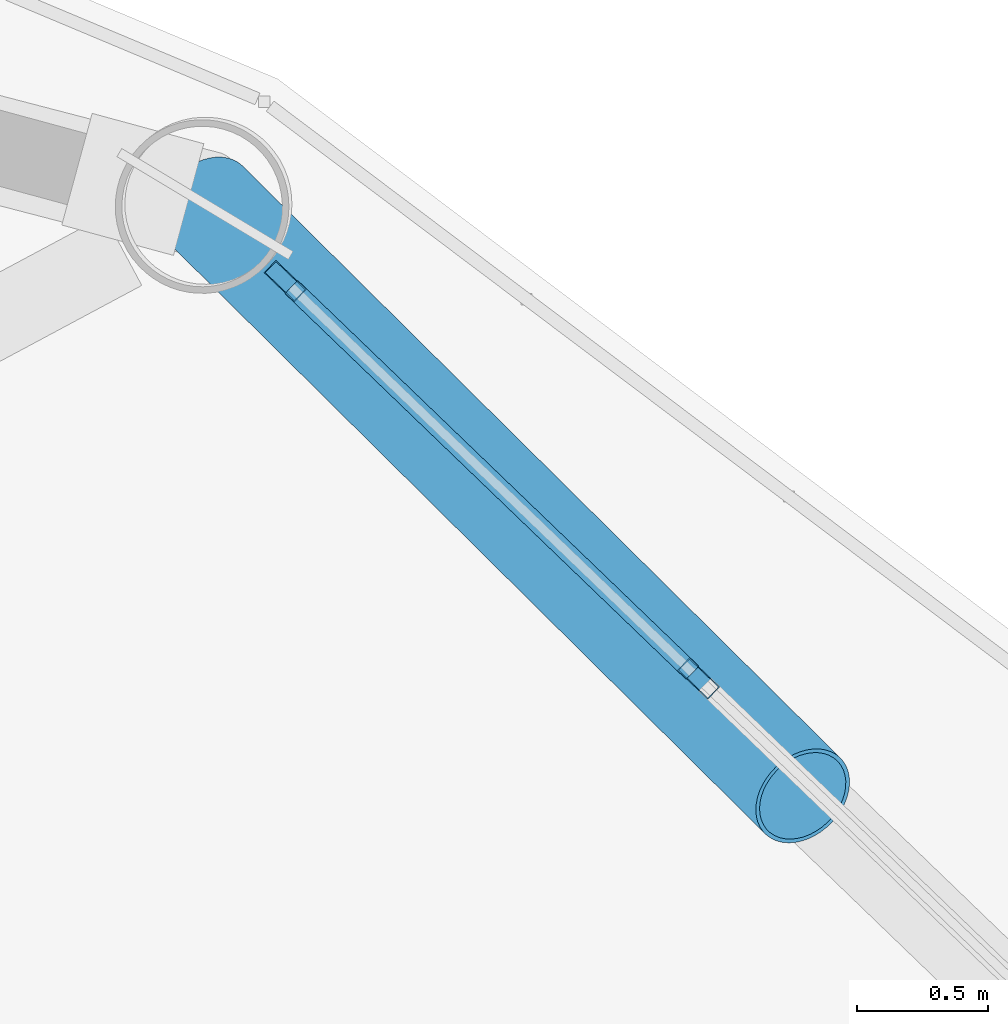
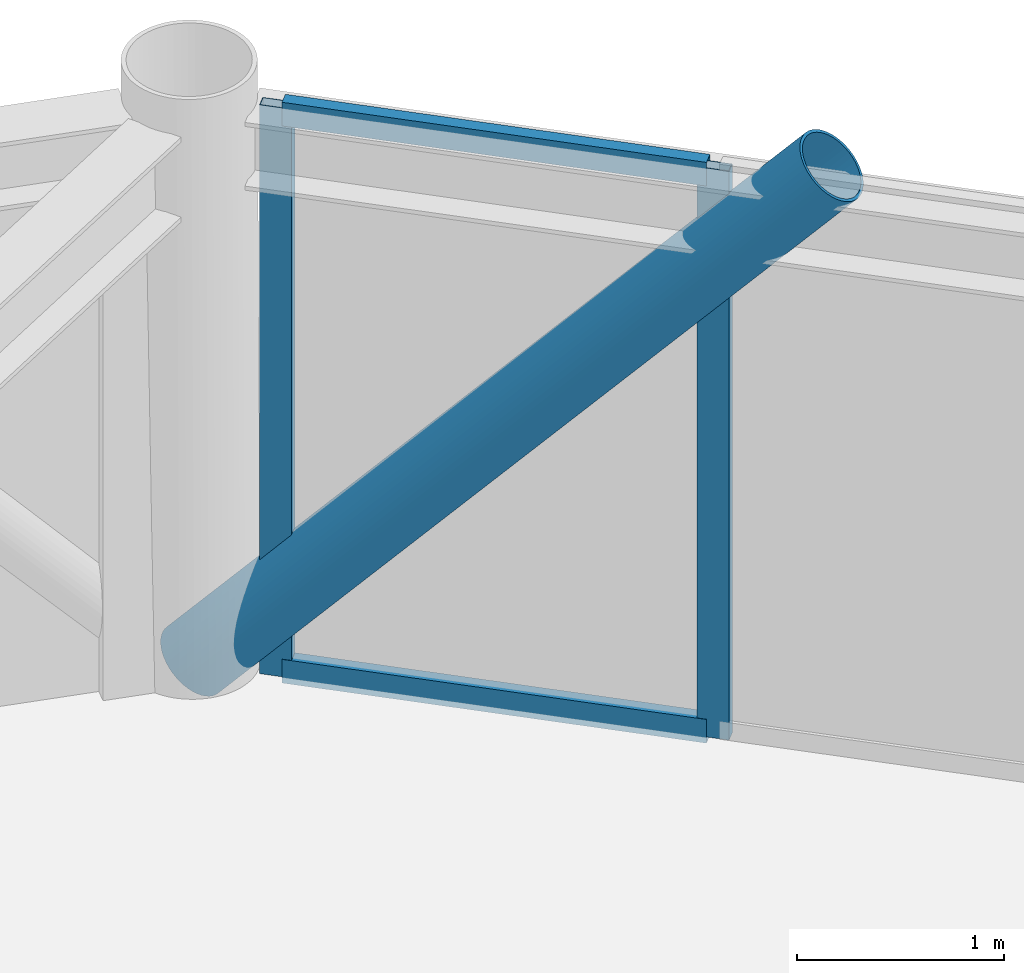
# One storey, part 21 of 28: 5 members, 1 element without a shape of its own.
"""IFC4 building model written with IfcOpenShell, lengths in metres."""

from ifc_helpers import new_model, si_unit, direction, frame, origin, origin_2d, place, context, subcontext, project, spatial, hollow_rectangle, hollow_circle, extrude, material, layer, layer_set, material_profile, profile_set, type_object, element, aggregate, save


model = new_model("IFC4")

# Units and contexts
model_context = context("Model", 3, precision=1e-05, world=origin(), true_north=direction((0.0, 1.0)))
body_context = subcontext(model_context, "Body", "Model", "MODEL_VIEW")
ifc_project = project(units=[si_unit("LENGTHUNIT", "METRE"), si_unit("AREAUNIT", "SQUARE_METRE"), si_unit("VOLUMEUNIT", "CUBIC_METRE"), si_unit("PLANEANGLEUNIT", "RADIAN"), si_unit("MASSUNIT", "GRAM", prefix="KILO")], contexts=[model_context])

# Site, building, storey
site_placement = place(None, origin())
site = spatial("IfcSite", under=ifc_project, at=site_placement, CompositionType="ELEMENT")
building_placement = place(site_placement, origin())
building = spatial("IfcBuilding", under=site, at=building_placement, Name="Varnakorn Sky Granary", CompositionType="ELEMENT")
storey_placement = place(building_placement, frame((0.0, 0.0, 214.800048828125)))
storey = spatial("IfcBuildingStorey", under=building, at=storey_placement, Name="L54", CompositionType="ELEMENT", Elevation=214.800048828125)

# Curtain wall, members
ifc_material_1 = material(Name="Anodised Bronze Aluminium Alloy 6063-T6", Category="aluminium")
ifc_layer = layer(ifc_material_1, 0.169921875, Name="Anodised Bronze Aluminium Alloy 6063-T6")
ifc_layer_set = layer_set([ifc_layer], Name="Anodised Bronze Aluminium Alloy 6063-T6")
curtain_wall_type = type_object("IfcCurtainWallType", Name="CW-LAB-1", PredefinedType="USERDEFINED", material=ifc_layer_set)
curtain_wall_placement = place(storey_placement, origin())
curtain_wall = element("IfcCurtainWall", 1, at=curtain_wall_placement, inside=storey, type_object=curtain_wall_type, Name="Unitised Curtain Wall CW5 CW-L54-B02", ObjectType="CURTAIN WALL", PredefinedType="USERDEFINED")
ifc_material_profile_1 = material_profile(ifc_material_1, hollow_rectangle(XDim=0.06494140625, YDim=0.159912109375, WallThickness=0.00341796875, at=origin_2d()), Name="ALU MULL 65x160")
ifc_profile_set_1 = profile_set([ifc_material_profile_1], Name="Anodised Bronze Aluminium Alloy 6063-T6")
member_type_1 = type_object("IfcMemberType", Name="CW-LAB-1-MULL", PredefinedType="MULLION", material=ifc_profile_set_1)
member_1_placement = place(storey_placement, frame((14.639404296875, 15.505126953125, 0.0), z_axis=(0.0, 0.0, 1.0), x_axis=(0.693140093091, 0.72080289355, 0.0)))
member_1 = element("IfcMember", 2, at=member_1_placement, type_object=member_type_1, Name="CW5 mullion 1", PredefinedType="MULLION", context=body_context, shape_type="SweptSolid", body=[
    extrude(hollow_rectangle(XDim=0.06494140625, YDim=0.159912109375, WallThickness=0.00341796875, at=origin_2d()), origin(), (0.0, 0.0, 1.0), 3.35986328125),
])
member_2_placement = place(storey_placement, frame((16.21142578125, 13.99365234375, 0.0), z_axis=(0.0, 0.0, 1.0), x_axis=(0.693140093091, 0.72080289355, 0.0)))
member_2 = element("IfcMember", 3, at=member_2_placement, type_object=member_type_1, Name="CW5 mullion 2", PredefinedType="MULLION", context=body_context, shape_type="SweptSolid", body=[
    extrude(hollow_rectangle(XDim=0.06494140625, YDim=0.159912109375, WallThickness=0.00341796875, at=origin_2d()), origin(), (0.0, 0.0, 1.0), 3.35986328125),
])
ifc_material_profile_2 = material_profile(ifc_material_1, hollow_rectangle(XDim=0.070068359375, YDim=0.139892578125, WallThickness=0.00341796875, at=origin_2d()), Name="ALU TRAN 70x140")
ifc_profile_set_2 = profile_set([ifc_material_profile_2], Name="Anodised Bronze Aluminium Alloy 6063-T6")
member_type_2 = type_object("IfcMemberType", Name="CW-LAB-1-TRAN", PredefinedType="USERDEFINED", material=ifc_profile_set_2)
member_3_placement = place(storey_placement, frame((14.662841796875, 15.482666015625, 0.034912109375), z_axis=(0.720817543904, -0.693124857728, 0.0), x_axis=(0.693124857728, 0.720817543904, 0.0)))
member_3 = element("IfcMember", 4, at=member_3_placement, type_object=member_type_2, Name="CW5 transom 1.1", ObjectType="TRANSOM", PredefinedType="USERDEFINED", context=body_context, shape_type="SweptSolid", body=[
    extrude(hollow_rectangle(XDim=0.070068359375, YDim=0.139892578125, WallThickness=0.00341796875, at=origin_2d()), origin(), (0.0, 0.0, 1.0), 2.115966796875),
])
member_4_placement = place(storey_placement, frame((14.662841796875, 15.482666015625, 3.324951171875), z_axis=(0.720817543904, -0.693124857728, 0.0), x_axis=(0.693124857728, 0.720817543904, 0.0)))
member_4 = element("IfcMember", 5, at=member_4_placement, type_object=member_type_2, Name="CW5 transom 1.2", ObjectType="TRANSOM", PredefinedType="USERDEFINED", context=body_context, shape_type="SweptSolid", body=[
    extrude(hollow_rectangle(XDim=0.070068359375, YDim=0.139892578125, WallThickness=0.00341796875, at=origin_2d()), origin(), (0.0, 0.0, 1.0), 2.115966796875),
])
aggregate(curtain_wall, [member_1, member_2, member_3, member_4])

# Member
ifc_material_2 = material(Name="Steel S460M", Category="steel")
ifc_material_profile_3 = material_profile(ifc_material_2, hollow_circle(Radius=0.203125, WallThickness=0.01611328125, at=origin_2d()), Name="CHS 406.4x16")
ifc_profile_set_3 = profile_set([ifc_material_profile_3], Name="Steel S460M")
member_type_3 = type_object("IfcMemberType", Name="MB-DIAG-T4", PredefinedType="BRACE", material=ifc_profile_set_3)
member_5_placement = place(storey_placement, frame((14.3349609375, 15.798095703125, 0.0), z_axis=(0.480022714172, -0.47538082696, 0.737286418726), x_axis=(0.703662953992, 0.71053391698, 0.0)))
element("IfcMember", 6, at=member_5_placement, inside=storey, type_object=member_type_3, Name="Perimeter CHS Diagrid Brace DG02 L54", PredefinedType="BRACE", context=body_context, shape_type="SweptSolid", body=[
    extrude(hollow_circle(Radius=0.203125, WallThickness=0.01611328125, at=origin_2d()), origin(), (0.0, 0.0, 1.0), 4.733642578125),
])

save(model, "model.ifc")
